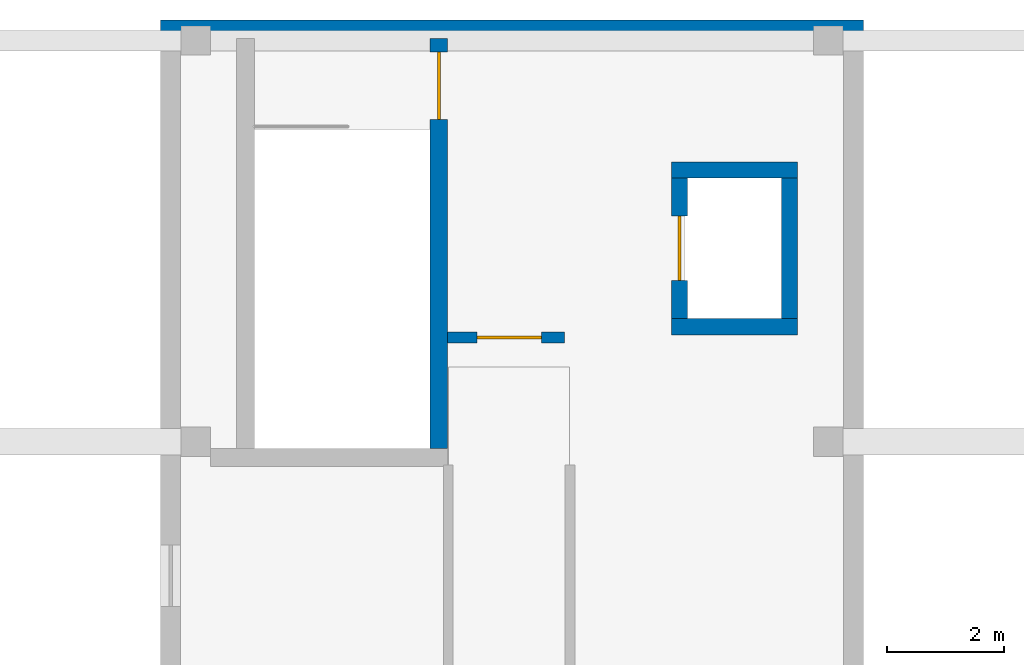
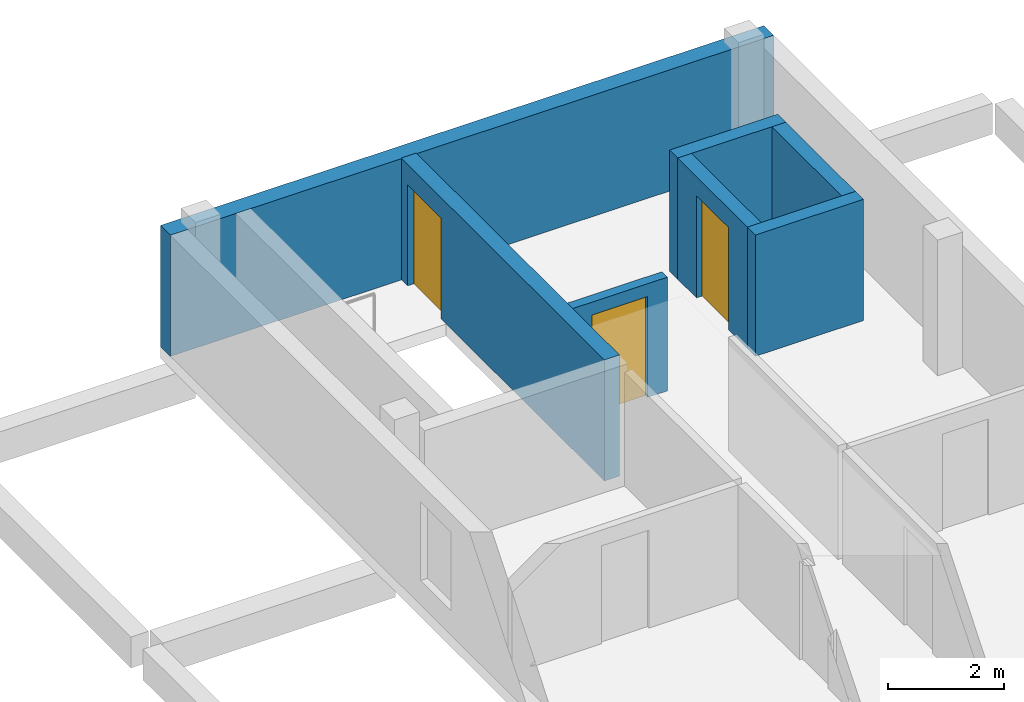
# One storey, part 10 of 16: 7 walls, 3 doors, 3 openings.
"""IFC4 building model written with IfcOpenShell, lengths in metres."""

from ifc_helpers import new_model, si_unit, derived_unit, direction, frame, frame_2d, origin, place, context, subcontext, project, spatial, rectangle, extrude, material, layer, layer_set, type_object, element, fill, save


model = new_model("IFC4")

# Units and contexts
model_context = context("Model", 3, precision=1e-05, world=origin(), true_north=direction((0.0, 1.0)))
body_context = subcontext(model_context, "Body", "Model", "MODEL_VIEW")
ifc_project = project(units=[si_unit("LENGTHUNIT", "METRE"), si_unit("AREAUNIT", "SQUARE_METRE"), si_unit("VOLUMEUNIT", "CUBIC_METRE"), si_unit("PLANEANGLEUNIT", "RADIAN"), si_unit("MASSUNIT", "GRAM", prefix="KILO"), derived_unit("THERMALTRANSMITTANCEUNIT", [(si_unit("MASSUNIT", "GRAM", prefix="KILO"), 1), (si_unit("TIMEUNIT", "SECOND"), -3), (si_unit("THERMODYNAMICTEMPERATUREUNIT", "KELVIN"), -1)])], contexts=[model_context])

# Site, building, storey
site_placement = place(None, origin())
site = spatial("IfcSite", under=ifc_project, at=site_placement, CompositionType="ELEMENT")
building_placement = place(site_placement, origin())
building = spatial("IfcBuilding", under=site, at=building_placement, Name="Ochrekiln Boulevard Commons", CompositionType="ELEMENT")
storey_placement = place(building_placement, frame((0.0, 0.0, 40.425048828125)))
storey = spatial("IfcBuildingStorey", under=building, at=storey_placement, Name="L12", CompositionType="ELEMENT", Elevation=40.425048828125)

# Wall
ifc_material_1 = material(Name="Iron-spot brown clinker brick masonry ASTM C216 Grade SW", Category="masonry")
ifc_layer_1 = layer(ifc_material_1, 0.340087890625)
ifc_layer_set_1 = layer_set([ifc_layer_1], Name="Iron-spot brown clinker brick masonry ASTM C216 Grade SW")
wall_type_1 = type_object("IfcWallType", Name="WL-EXT-IRON-340", PredefinedType="SOLIDWALL", material=ifc_layer_set_1)
wall_1_placement = place(storey_placement, frame((156.0, 118.6298828125, 0.0), z_axis=(0.0, 0.0, 1.0), x_axis=(1.0, 0.0, 0.0)))
element("IfcWall", 1, at=wall_1_placement, inside=storey, type_object=wall_type_1, Name="Block B L12 N Exterior Wall", PredefinedType="SOLIDWALL", context=body_context, shape_type="SweptSolid", body=[
    extrude(rectangle(XDim=12.0, YDim=0.340087890625, at=frame_2d((6.0, 0.0))), origin(), (0.0, 0.0, 1.0), 2.550048828125),
])

# Wall, opening, door
ifc_material_2 = material(Name="Fire-rated Type X gypsum board on steel studs", Category="steel")
ifc_layer_2 = layer(ifc_material_2, 0.18994140625)
ifc_layer_set_2 = layer_set([ifc_layer_2], Name="Fire-rated Type X gypsum board on steel studs")
wall_type_2 = type_object("IfcWallType", Name="WL-PT-LBY-190", PredefinedType="PARTITIONING", material=ifc_layer_set_2)
wall_2_placement = place(storey_placement, frame((160.89990234375, 113.3798828125, 0.0), z_axis=(0.0, 0.0, 1.0), x_axis=(1.0, 0.0, 0.0)))
wall_2 = element("IfcWall", 2, at=wall_2_placement, inside=storey, type_object=wall_type_2, Name="L12 Interior Wall W-PL190", PredefinedType="PARTITIONING", context=body_context, shape_type="SweptSolid", body=[
    extrude(rectangle(XDim=2.0, YDim=0.18994140625, at=frame_2d((1.0, 0.0))), origin(), (0.0, 0.0, 1.0), 2.389892578125),
])
opening_1_placement = place(wall_2_placement, frame((0.5, 0.0, 0.0)))
opening_1 = element("IfcOpeningElement", 3, at=opening_1_placement, cuts=wall_2, Name="Opening D-L12-1315", PredefinedType="OPENING", context=body_context, shape_type="SweptSolid", body=[
    extrude(rectangle(XDim=1.10009765625, YDim=2.1201171875, at=frame_2d((0.550048828125, 1.06005859375))), frame((0.0, 0.10498046875, 0.0), z_axis=(0.0, -1.0, 0.0), x_axis=(1.0, 0.0, 0.0)), (0.0, 0.0, 1.0), 0.2099609375),
])
ifc_material_3 = material(Name="Hollow metal fire-rated steel door assembly", Category="steel")
door_type_1 = type_object("IfcDoorType", Name="DR-LOBBY-60", OperationType="NOTDEFINED", PredefinedType="DOOR", material=ifc_material_3)
door_1_placement = place(opening_1_placement, origin())
door_1 = element("IfcDoor", 4, at=door_1_placement, inside=storey, type_object=door_type_1, Name="L12 Interior Door to Fire Service Access Elevator Lobby", OperationType="SINGLE_SWING_LEFT", OverallHeight=2.1201171875, OverallWidth=1.10009765625, PredefinedType="DOOR", context=body_context, shape_type="SweptSolid", body=[
    extrude(rectangle(XDim=1.10009765625, YDim=2.1201171875, at=frame_2d((0.550048828125, 1.06005859375))), frame((0.0, 0.02490234375, 0.0), z_axis=(0.0, -1.0, 0.0), x_axis=(1.0, 0.0, 0.0)), (0.0, 0.0, 1.0), 0.050048828125),
])
fill(opening_1, door_1)

# Walls
ifc_material_4 = material(Name="Concrete C40/50", Category="concrete")
ifc_layer_3 = layer(ifc_material_4, 0.27490234375)
ifc_layer_set_3 = layer_set([ifc_layer_3], Name="Concrete C40/50")
wall_type_3 = type_object("IfcWallType", Name="WL-SH-275", PredefinedType="SHEAR", material=ifc_layer_set_3)
for number, where, z_axis, x_axis, name in (
    (5, (164.72509765625, 113.5625, 0.0), (0.0, 0.0, 1.0), (1.0, 0.0, 0.0), "Elevator FF-B2 L12 Hoistway Shear Wall"),
    (6, (164.72509765625, 116.237548828125, 0.0), (0.0, 0.0, 1.0), (1.0, 0.0, 0.0), "Elevator FF-B2 L12 Hoistway Shear Wall"),
):
    element("IfcWall", number, at=place(storey_placement, frame(where, z_axis=z_axis, x_axis=x_axis)), inside=storey, type_object=wall_type_3, Name=name, PredefinedType="SHEAR", context=body_context, shape_type="SweptSolid", body=[
        extrude(rectangle(XDim=2.14990234375, YDim=0.27490234375, at=frame_2d((1.074951171875, 0.0))), origin(), (0.0, 0.0, 1.0), 2.550048828125),
    ])

# Wall, opening, door
wall_3_placement = place(storey_placement, frame((164.862548828125, 113.699951171875, 0.0), z_axis=(0.0, 0.0, 1.0), x_axis=(0.0, 1.0, 0.0)))
wall_3 = element("IfcWall", 7, at=wall_3_placement, inside=storey, type_object=wall_type_3, Name="Elevator FF-B2 L12 Hoistway Shear Wall", PredefinedType="SHEAR", context=body_context, shape_type="SweptSolid", body=[
    extrude(rectangle(XDim=2.400146484375, YDim=0.27490234375, at=frame_2d((1.2001953125, 0.0))), origin(), (0.0, 0.0, 1.0), 2.550048828125),
])
opening_2_placement = place(wall_3_placement, frame((0.64990234375, 0.0, 0.0)))
opening_2 = element("IfcOpeningElement", 8, at=opening_2_placement, cuts=wall_3, Name="Opening LD-FF-B2-L12", PredefinedType="OPENING", context=body_context, shape_type="SweptSolid", body=[
    extrude(rectangle(XDim=1.10009765625, YDim=2.14990234375, at=frame_2d((0.550048828125, 1.074951171875))), frame((0.0, 0.1474609375, 0.0), z_axis=(0.0, -1.0, 0.0), x_axis=(1.0, 0.0, 0.0)), (0.0, 0.0, 1.0), 0.294921875),
])
ifc_material_5 = material(Name="Brushed stainless steel 316 elevator cab and doors", Category="steel")
door_type_2 = type_object("IfcDoorType", Name="DR-LIFT-LD90", OperationType="SLIDING_TO_LEFT", PredefinedType="DOOR", material=ifc_material_5)
door_2_placement = place(opening_2_placement, origin())
door_2 = element("IfcDoor", 9, at=door_2_placement, inside=storey, type_object=door_type_2, Name="Elevator FF-B2 L12 Sliding Landing Door LD-FF-B2-L12", OperationType="SLIDING_TO_LEFT", OverallHeight=2.14990234375, OverallWidth=1.10009765625, PredefinedType="DOOR", context=body_context, shape_type="SweptSolid", body=[
    extrude(rectangle(XDim=1.10009765625, YDim=2.14990234375, at=frame_2d((0.550048828125, 1.074951171875))), frame((0.0, 0.02490234375, 0.0), z_axis=(0.0, -1.0, 0.0), x_axis=(1.0, 0.0, 0.0)), (0.0, 0.0, 1.0), 0.050048828125),
])
fill(opening_2, door_2)

# Wall
wall_4_placement = place(storey_placement, frame((166.737548828125, 113.699951171875, 0.0), z_axis=(0.0, 0.0, 1.0), x_axis=(0.0, 1.0, 0.0)))
element("IfcWall", 10, at=wall_4_placement, inside=storey, type_object=wall_type_3, Name="Elevator FF-B2 L12 Hoistway Shear Wall", PredefinedType="SHEAR", context=body_context, shape_type="SweptSolid", body=[
    extrude(rectangle(XDim=2.400146484375, YDim=0.27490234375, at=frame_2d((1.2001953125, 0.0))), origin(), (0.0, 0.0, 1.0), 2.550048828125),
])

# Wall, opening, door
ifc_layer_4 = layer(ifc_material_4, 0.300048828125)
ifc_layer_set_4 = layer_set([ifc_layer_4], Name="Concrete C40/50")
wall_type_4 = type_object("IfcWallType", Name="WL-SH-300", PredefinedType="SHEAR", material=ifc_layer_set_4)
wall_5_placement = place(storey_placement, frame((160.75, 111.47998046875, 0.0), z_axis=(0.0, 0.0, 1.0), x_axis=(0.0, 1.0, 0.0)))
wall_5 = element("IfcWall", 11, at=wall_5_placement, inside=storey, type_object=wall_type_4, Name="Stair ST-B2 L12 Core Shear Wall E", PredefinedType="SHEAR", context=body_context, shape_type="SweptSolid", body=[
    extrude(rectangle(XDim=7.0, YDim=0.300048828125, at=frame_2d((3.5, 0.0))), origin(), (0.0, 0.0, 1.0), 2.550048828125),
])
opening_3_placement = place(wall_5_placement, frame((5.625, 0.0, 0.0)))
opening_3 = element("IfcOpeningElement", 12, at=opening_3_placement, cuts=wall_5, Name="Opening D-L12-ST-B2", PredefinedType="OPENING", context=body_context, shape_type="SweptSolid", body=[
    extrude(rectangle(XDim=1.14990234375, YDim=2.1201171875, at=frame_2d((0.574951171875, 1.06005859375))), frame((0.0, 0.159912109375, 0.0), z_axis=(0.0, -1.0, 0.0), x_axis=(1.0, 0.0, 0.0)), (0.0, 0.0, 1.0), 0.320068359375),
])
door_type_3 = type_object("IfcDoorType", Name="DR-STAIR-90", OperationType="NOTDEFINED", PredefinedType="DOOR", material=ifc_material_3)
door_3_placement = place(opening_3_placement, origin())
door_3 = element("IfcDoor", 13, at=door_3_placement, inside=storey, type_object=door_type_3, Name="Enclosed Exit Stair ST-B2 L12 Rated Door", OperationType="SINGLE_SWING_RIGHT", OverallHeight=2.1201171875, OverallWidth=1.14990234375, PredefinedType="DOOR", context=body_context, shape_type="SweptSolid", body=[
    extrude(rectangle(XDim=1.14990234375, YDim=2.1201171875, at=frame_2d((0.574951171875, 1.06005859375))), frame((0.0, 0.02490234375, 0.0), z_axis=(0.0, -1.0, 0.0), x_axis=(1.0, 0.0, 0.0)), (0.0, 0.0, 1.0), 0.050048828125),
])
fill(opening_3, door_3)

save(model, "model.ifc")
